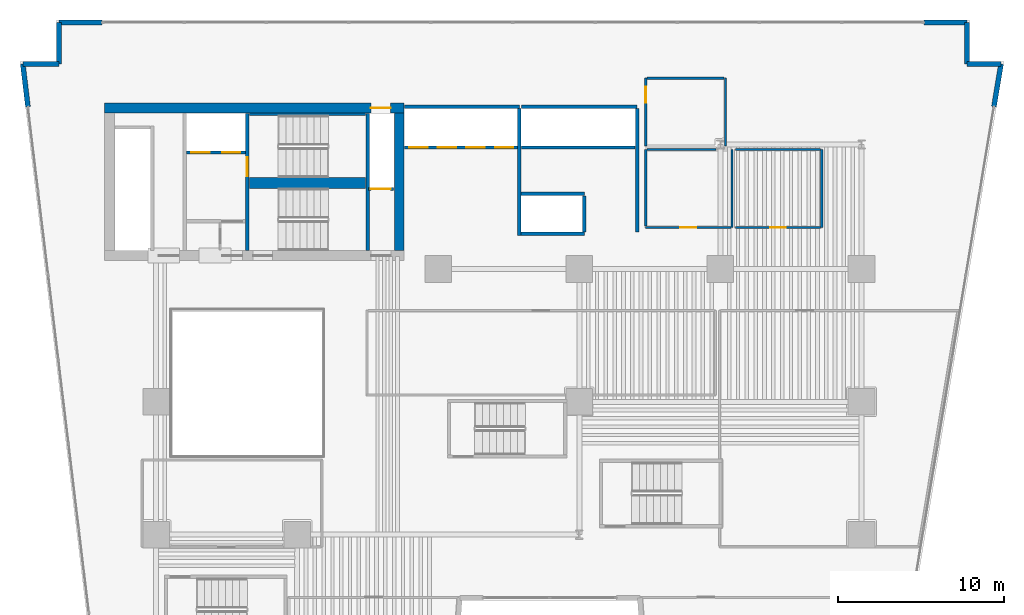
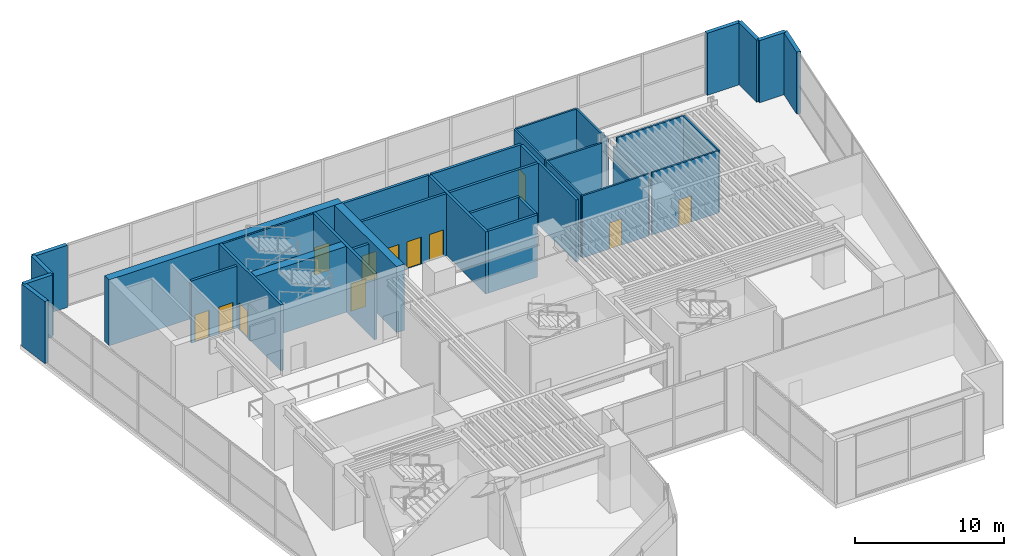
# One storey, part 10 of 16: 35 walls, 12 doors, 12 openings.
"""IFC4 building model written with IfcOpenShell, lengths in metres."""

from ifc_helpers import new_model, si_unit, direction, frame, frame_2d, origin, place, context, subcontext, project, spatial, rectangle, extrude, material, layer, layer_set, type_object, element, fill, save


model = new_model("IFC4")

# Units and contexts
model_context = context("Model", 3, precision=1e-05, world=origin(), true_north=direction((0.0, 1.0)))
body_context = subcontext(model_context, "Body", "Model", "MODEL_VIEW")
ifc_project = project(units=[si_unit("LENGTHUNIT", "METRE"), si_unit("AREAUNIT", "SQUARE_METRE"), si_unit("VOLUMEUNIT", "CUBIC_METRE"), si_unit("PLANEANGLEUNIT", "RADIAN"), si_unit("MASSUNIT", "GRAM", prefix="KILO")], contexts=[model_context])

# Site, building, storey
site_placement = place(None, origin())
site = spatial("IfcSite", under=ifc_project, at=site_placement, CompositionType="ELEMENT")
building_placement = place(site_placement, origin())
building = spatial("IfcBuilding", under=site, at=building_placement, Name="Caeloran Harvest Quay", CompositionType="ELEMENT")
storey_placement = place(building_placement, frame((0.0, 0.0, 10.800048828125)))
storey = spatial("IfcBuildingStorey", under=building, at=storey_placement, Name="L03", CompositionType="ELEMENT", Elevation=10.800048828125)

# Walls
ifc_material_1 = material(Name="Precast concrete C50/60", Category="concrete")
ifc_layer_1 = layer(ifc_material_1, 0.300048828125, Name="Precast concrete C50/60")
ifc_layer_set_1 = layer_set([ifc_layer_1], Name="Precast concrete C50/60")
wall_type_1 = type_object("IfcWallType", Name="ENV-WALL-EW-300", PredefinedType="STANDARD", material=ifc_layer_set_1)
wall_1_placement = place(storey_placement, frame((0.781494140625, 40.768798828125, 0.0), z_axis=(0.0, 0.0, 1.0), x_axis=(-0.119630264411, 0.992818513041, 0.0)))
element("IfcWall", 1, at=wall_1_placement, inside=storey, type_object=wall_type_1, Name="L03 Exterior Facade Corner Pier Wall 3B", PredefinedType="STANDARD", context=body_context, shape_type="SweptSolid", body=[
    extrude(rectangle(XDim=2.599853515625, YDim=0.300048828125, at=frame_2d((1.2998046875, 0.0))), origin(), (0.0, 0.0, 1.0), 5.079833984375),
])
wall_2_placement = place(storey_placement, frame((0.470458984375, 43.35009765625, 0.0), z_axis=(0.0, 0.0, 1.0), x_axis=(1.0, 0.0, 0.0)))
element("IfcWall", 2, at=wall_2_placement, inside=storey, type_object=wall_type_1, Name="L03 Exterior Precast Concrete Facade Wall 4", PredefinedType="STANDARD", context=body_context, shape_type="SweptSolid", body=[
    extrude(rectangle(XDim=2.179443359375, YDim=0.300048828125, at=frame_2d((1.08984375, 0.0))), origin(), (0.0, 0.0, 1.0), 5.079833984375),
])
wall_3_placement = place(storey_placement, frame((2.64990234375, 43.35009765625, 0.0), z_axis=(0.0, 0.0, 1.0), x_axis=(0.0, 1.0, 0.0)))
element("IfcWall", 3, at=wall_3_placement, inside=storey, type_object=wall_type_1, Name="L03 Exterior Precast Concrete Facade Wall 5", PredefinedType="STANDARD", context=body_context, shape_type="SweptSolid", body=[
    extrude(rectangle(XDim=2.5, YDim=0.300048828125, at=frame_2d((1.25, 0.0))), origin(), (0.0, 0.0, 1.0), 5.079833984375),
])
for number, where, z_axis, x_axis, name in (
    (4, (2.64990234375, 45.85009765625, 0.0), (0.0, 0.0, 1.0), (1.0, 0.0, 0.0), "L03 Exterior Facade Corner Pier Wall 6A"),
    (5, (54.75, 45.85009765625, 0.0), (0.0, 0.0, 1.0), (1.0, 0.0, 0.0), "L03 Exterior Facade Corner Pier Wall 6B"),
):
    element("IfcWall", number, at=place(storey_placement, frame(where, z_axis=z_axis, x_axis=x_axis)), inside=storey, type_object=wall_type_1, Name=name, PredefinedType="STANDARD", context=body_context, shape_type="SweptSolid", body=[
        extrude(rectangle(XDim=2.60009765625, YDim=0.300048828125, at=frame_2d((1.300048828125, 0.0))), origin(), (0.0, 0.0, 1.0), 5.079833984375),
    ])
wall_4_placement = place(storey_placement, frame((57.35009765625, 45.85009765625, 0.0), z_axis=(0.0, 0.0, 1.0), x_axis=(0.0, -1.0, 0.0)))
element("IfcWall", 6, at=wall_4_placement, inside=storey, type_object=wall_type_1, Name="L03 Exterior Precast Concrete Facade Wall 7", PredefinedType="STANDARD", context=body_context, shape_type="SweptSolid", body=[
    extrude(rectangle(XDim=2.5, YDim=0.300048828125, at=frame_2d((1.25, 0.0))), origin(), (0.0, 0.0, 1.0), 5.079833984375),
])
wall_5_placement = place(storey_placement, frame((57.35009765625, 43.35009765625, 0.0), z_axis=(0.0, 0.0, 1.0), x_axis=(1.0, 0.0, 0.0)))
element("IfcWall", 7, at=wall_5_placement, inside=storey, type_object=wall_type_1, Name="L03 Exterior Precast Concrete Facade Wall 8", PredefinedType="STANDARD", context=body_context, shape_type="SweptSolid", body=[
    extrude(rectangle(XDim=2.056884765625, YDim=0.300048828125, at=frame_2d((1.0283203125, 0.0))), origin(), (0.0, 0.0, 1.0), 5.079833984375),
])
wall_6_placement = place(storey_placement, frame((59.406982421875, 43.35009765625, 0.0), z_axis=(0.0, 0.0, 1.0), x_axis=(-0.164231487243, -0.986421825893, 0.0)))
element("IfcWall", 8, at=wall_6_placement, inside=storey, type_object=wall_type_1, Name="L03 Exterior Facade Corner Pier Wall 9A", PredefinedType="STANDARD", context=body_context, shape_type="SweptSolid", body=[
    extrude(rectangle(XDim=2.60009765625, YDim=0.300048828125, at=frame_2d((1.300048828125, 0.0))), origin(), (0.0, 0.0, 1.0), 5.079833984375),
])
ifc_material_2 = material(Name="Moisture-Resistant Cement-Board Sanitary Partition", Category="gypsum")
ifc_layer_2 = layer(ifc_material_2, 0.139892578125, Name="Moisture-Resistant Cement-Board Sanitary Partition")
ifc_layer_set_2 = layer_set([ifc_layer_2], Name="Moisture-Resistant Cement-Board Sanitary Partition")
wall_type_2 = type_object("IfcWallType", Name="INT-WALL-PW-140", PredefinedType="PARTITIONING", material=ifc_layer_set_2)
wall_7_placement = place(storey_placement, frame((43.199951171875, 38.199951171875, 0.0), z_axis=(0.0, 0.0, 1.0), x_axis=(0.0, -1.0, 0.0)))
element("IfcWall", 9, at=wall_7_placement, inside=storey, type_object=wall_type_2, Name="L03 Public Male Washroom WC Partition Wall", PredefinedType="PARTITIONING", context=body_context, shape_type="SweptSolid", body=[
    extrude(rectangle(XDim=4.699951171875, YDim=0.139892578125, at=frame_2d((2.35009765625, 0.0))), origin(), (0.0, 0.0, 1.0), 4.46484375),
])

# Wall, opening, door
wall_8_placement = place(storey_placement, frame((43.125, 33.5, 0.0), z_axis=(0.0, 0.0, 1.0), x_axis=(-1.0, 0.0, 0.0)))
wall_8 = element("IfcWall", 10, at=wall_8_placement, inside=storey, type_object=wall_type_2, Name="L03 Public Male Washroom WC Partition Wall", PredefinedType="PARTITIONING", context=body_context, shape_type="SweptSolid", body=[
    extrude(rectangle(XDim=5.125, YDim=0.139892578125, at=frame_2d((2.5625, 0.0))), origin(), (0.0, 0.0, 1.0), 5.079833984375),
])
opening_1_placement = place(wall_8_placement, frame((2.08740234375, 0.0, 0.0)))
opening_1 = element("IfcOpeningElement", 11, at=opening_1_placement, cuts=wall_8, Name="Opening WC-01", PredefinedType="OPENING", context=body_context, shape_type="SweptSolid", body=[
    extrude(rectangle(XDim=0.949951171875, YDim=2.14990234375, at=frame_2d((0.47509765625, 1.074951171875))), frame((0.0, 0.080078125, 0.0), z_axis=(0.0, -1.0, 0.0), x_axis=(1.0, 0.0, 0.0)), (0.0, 0.0, 1.0), 0.159912109375),
])
ifc_material_3 = material(Name="High-Pressure Laminate Moisture-Resistant Timber", Category="wood")
door_type_1 = type_object("IfcDoorType", Name="INTDOOR-WC-01", OperationType="NOTDEFINED", PredefinedType="DOOR", material=ifc_material_3)
door_1_placement = place(opening_1_placement, origin())
door_1 = element("IfcDoor", 12, at=door_1_placement, inside=storey, type_object=door_type_1, Name="L03 Public Male Washroom WC Access Door", OperationType="SINGLE_SWING_LEFT", OverallHeight=2.14990234375, OverallWidth=0.949951171875, PredefinedType="DOOR", context=body_context, shape_type="SweptSolid", body=[
    extrude(rectangle(XDim=0.949951171875, YDim=2.14990234375, at=frame_2d((0.47509765625, 1.074951171875))), frame((0.0, 0.02490234375, 0.0), z_axis=(0.0, -1.0, 0.0), x_axis=(1.0, 0.0, 0.0)), (0.0, 0.0, 1.0), 0.050048828125),
])
fill(opening_1, door_1)

# Walls
wall_9_placement = place(storey_placement, frame((38.0, 33.574951171875, 0.0), z_axis=(0.0, 0.0, 1.0), x_axis=(0.0, 1.0, 0.0)))
element("IfcWall", 13, at=wall_9_placement, inside=storey, type_object=wall_type_2, Name="L03 Public Male Washroom WC Partition Wall", PredefinedType="PARTITIONING", context=body_context, shape_type="SweptSolid", body=[
    extrude(rectangle(XDim=4.625, YDim=0.139892578125, at=frame_2d((2.3125, 0.0))), origin(), (0.0, 0.0, 1.0), 5.079833984375),
])
wall_10_placement = place(storey_placement, frame((38.074951171875, 38.199951171875, 0.0), z_axis=(0.0, 0.0, 1.0), x_axis=(1.0, 0.0, 0.0)))
element("IfcWall", 14, at=wall_10_placement, inside=storey, type_object=wall_type_2, Name="L03 Public Male Washroom WC Partition Wall", PredefinedType="PARTITIONING", context=body_context, shape_type="SweptSolid", body=[
    extrude(rectangle(XDim=4.173095703125, YDim=0.139892578125, at=frame_2d((2.08642578125, 0.0))), origin(), (0.0, 0.0, 1.0), 5.079833984375),
])
wall_11_placement = place(storey_placement, frame((48.60009765625, 38.199951171875, 0.0), z_axis=(0.0, 0.0, 1.0), x_axis=(0.0, -1.0, 0.0)))
element("IfcWall", 15, at=wall_11_placement, inside=storey, type_object=wall_type_2, Name="L03 Public Female Washroom WC Partition Wall", PredefinedType="PARTITIONING", context=body_context, shape_type="SweptSolid", body=[
    extrude(rectangle(XDim=4.699951171875, YDim=0.139892578125, at=frame_2d((2.35009765625, 0.0))), origin(), (0.0, 0.0, 1.0), 5.079833984375),
])

# Wall, opening, door
wall_12_placement = place(storey_placement, frame((48.52490234375, 33.5, 0.0), z_axis=(0.0, 0.0, 1.0), x_axis=(-1.0, 0.0, 0.0)))
wall_12 = element("IfcWall", 16, at=wall_12_placement, inside=storey, type_object=wall_type_2, Name="L03 Public Female Washroom WC Partition Wall", PredefinedType="PARTITIONING", context=body_context, shape_type="SweptSolid", body=[
    extrude(rectangle(XDim=5.125, YDim=0.139892578125, at=frame_2d((2.5625, 0.0))), origin(), (0.0, 0.0, 1.0), 5.079833984375),
])
opening_2_placement = place(wall_12_placement, frame((2.08740234375, 0.0, 0.0)))
opening_2 = element("IfcOpeningElement", 17, at=opening_2_placement, cuts=wall_12, Name="Opening WC-01", PredefinedType="OPENING", context=body_context, shape_type="SweptSolid", body=[
    extrude(rectangle(XDim=0.949951171875, YDim=2.14990234375, at=frame_2d((0.47509765625, 1.074951171875))), frame((0.0, 0.080078125, 0.0), z_axis=(0.0, -1.0, 0.0), x_axis=(1.0, 0.0, 0.0)), (0.0, 0.0, 1.0), 0.159912109375),
])
door_2_placement = place(opening_2_placement, origin())
door_2 = element("IfcDoor", 18, at=door_2_placement, inside=storey, type_object=door_type_1, Name="L03 Public Female Washroom WC Access Door", OperationType="SINGLE_SWING_RIGHT", OverallHeight=2.14990234375, OverallWidth=0.949951171875, PredefinedType="DOOR", context=body_context, shape_type="SweptSolid", body=[
    extrude(rectangle(XDim=0.949951171875, YDim=2.14990234375, at=frame_2d((0.47509765625, 1.074951171875))), frame((0.0, 0.02490234375, 0.0), z_axis=(0.0, -1.0, 0.0), x_axis=(1.0, 0.0, 0.0)), (0.0, 0.0, 1.0), 0.050048828125),
])
fill(opening_2, door_2)

# Walls
wall_13_placement = place(storey_placement, frame((43.39990234375, 38.199951171875, 0.0), z_axis=(0.0, 0.0, 1.0), x_axis=(1.0, 0.0, 0.0)))
element("IfcWall", 19, at=wall_13_placement, inside=storey, type_object=wall_type_2, Name="L03 Public Female Washroom WC Partition Wall", PredefinedType="PARTITIONING", context=body_context, shape_type="SweptSolid", body=[
    extrude(rectangle(XDim=5.125, YDim=0.139892578125, at=frame_2d((2.5625, 0.0))), origin(), (0.0, 0.0, 1.0), 5.079833984375),
])
wall_14_placement = place(storey_placement, frame((42.800048828125, 42.5, 0.0), z_axis=(0.0, 0.0, 1.0), x_axis=(0.0, -1.0, 0.0)))
element("IfcWall", 20, at=wall_14_placement, inside=storey, type_object=wall_type_2, Name="L03 Accessible Unisex Washroom WC Partition Wall", PredefinedType="PARTITIONING", context=body_context, shape_type="SweptSolid", body=[
    extrude(rectangle(XDim=4.10009765625, YDim=0.139892578125, at=frame_2d((2.050048828125, 0.0))), origin(), (0.0, 0.0, 1.0), 5.079833984375),
])

# Wall, opening, door
wall_15_placement = place(storey_placement, frame((38.0, 38.39990234375, 0.0), z_axis=(0.0, 0.0, 1.0), x_axis=(0.0, 1.0, 0.0)))
wall_15 = element("IfcWall", 21, at=wall_15_placement, inside=storey, type_object=wall_type_2, Name="L03 Accessible Unisex Washroom WC Partition Wall", PredefinedType="PARTITIONING", context=body_context, shape_type="SweptSolid", body=[
    extrude(rectangle(XDim=4.10009765625, YDim=0.139892578125, at=frame_2d((2.050048828125, 0.0))), origin(), (0.0, 0.0, 1.0), 5.079833984375),
])
opening_3_placement = place(wall_15_placement, frame((2.62255859375, 0.0, 0.0)))
opening_3 = element("IfcOpeningElement", 22, at=opening_3_placement, cuts=wall_15, Name="Opening WC-01", PredefinedType="OPENING", context=body_context, shape_type="SweptSolid", body=[
    extrude(rectangle(XDim=0.949951171875, YDim=2.14990234375, at=frame_2d((0.47509765625, 1.074951171875))), frame((0.0, 0.080078125, 0.0), z_axis=(0.0, -1.0, 0.0), x_axis=(1.0, 0.0, 0.0)), (0.0, 0.0, 1.0), 0.159912109375),
])
door_3_placement = place(opening_3_placement, origin())
door_3 = element("IfcDoor", 23, at=door_3_placement, inside=storey, type_object=door_type_1, Name="L03 Accessible Unisex Washroom WC Access Door", OperationType="SINGLE_SWING_RIGHT", OverallHeight=2.14990234375, OverallWidth=0.949951171875, PredefinedType="DOOR", context=body_context, shape_type="SweptSolid", body=[
    extrude(rectangle(XDim=0.949951171875, YDim=2.14990234375, at=frame_2d((0.47509765625, 1.074951171875))), frame((0.0, 0.02490234375, 0.0), z_axis=(0.0, -1.0, 0.0), x_axis=(1.0, 0.0, 0.0)), (0.0, 0.0, 1.0), 0.050048828125),
])
fill(opening_3, door_3)

# Wall
wall_16_placement = place(storey_placement, frame((38.074951171875, 42.5, 0.0), z_axis=(0.0, 0.0, 1.0), x_axis=(1.0, 0.0, 0.0)))
element("IfcWall", 24, at=wall_16_placement, inside=storey, type_object=wall_type_2, Name="L03 Accessible Unisex Washroom WC Partition Wall", PredefinedType="PARTITIONING", context=body_context, shape_type="SweptSolid", body=[
    extrude(rectangle(XDim=4.650146484375, YDim=0.139892578125, at=frame_2d((2.3251953125, 0.0))), origin(), (0.0, 0.0, 1.0), 5.079833984375),
])

# Wall, openings, doors
ifc_material_4 = material(Name="Concrete C50/60", Category="concrete")
ifc_layer_3 = layer(ifc_material_4, 0.199951171875, Name="Concrete C50/60")
ifc_layer_set_3 = layer_set([ifc_layer_3], Name="Concrete C50/60")
wall_type_3 = type_object("IfcWallType", Name="INT-WALL-SW-200", PredefinedType="PARTITIONING", material=ifc_layer_set_3)
wall_17_placement = place(storey_placement, frame((10.340087890625, 38.02001953125, 0.0), z_axis=(0.0, 0.0, 1.0), x_axis=(1.0, 0.0, 0.0)))
wall_17 = element("IfcWall", 25, at=wall_17_placement, inside=storey, type_object=wall_type_3, Name="L03 Firefighting Lift Shaft Wall", PredefinedType="PARTITIONING", context=body_context, shape_type="SweptSolid", body=[
    extrude(rectangle(XDim=3.539794921875, YDim=0.199951171875, at=frame_2d((1.77001953125, 0.0))), origin(), (0.0, 0.0, 1.0), 5.079833984375),
])
opening_4_placement = place(wall_17_placement, frame((0.284912109375, 0.0, 0.0)))
opening_4 = element("IfcOpeningElement", 26, at=opening_4_placement, cuts=wall_17, Name="Opening LD-01", PredefinedType="OPENING", context=body_context, shape_type="SweptSolid", body=[
    extrude(rectangle(XDim=1.10009765625, YDim=2.199951171875, at=frame_2d((0.550048828125, 1.10009765625))), frame((0.0, 0.10986328125, 0.0), z_axis=(0.0, -1.0, 0.0), x_axis=(1.0, 0.0, 0.0)), (0.0, 0.0, 1.0), 0.219970703125),
])
opening_5_placement = place(wall_17_placement, frame((2.135009765625, 0.0, 0.0)))
opening_5 = element("IfcOpeningElement", 27, at=opening_5_placement, cuts=wall_17, Name="Opening LD-01", PredefinedType="OPENING", context=body_context, shape_type="SweptSolid", body=[
    extrude(rectangle(XDim=1.10009765625, YDim=2.199951171875, at=frame_2d((0.550048828125, 1.10009765625))), frame((0.0, 0.10986328125, 0.0), z_axis=(0.0, -1.0, 0.0), x_axis=(1.0, 0.0, 0.0)), (0.0, 0.0, 1.0), 0.219970703125),
])
ifc_material_5 = material(Name="Stainless Steel Grade 316", Category="steel")
door_type_2 = type_object("IfcDoorType", Name="INTDOOR-LD-01", OperationType="NOTDEFINED", PredefinedType="DOOR", material=ifc_material_5)
door_4_placement = place(opening_4_placement, origin())
door_4 = element("IfcDoor", 28, at=door_4_placement, inside=storey, type_object=door_type_2, Name="Lift FF-1 Sliding Landing Door (L03)", OperationType="DOUBLE_DOOR_SLIDING", OverallHeight=2.199951171875, OverallWidth=1.10009765625, PredefinedType="DOOR", context=body_context, shape_type="SweptSolid", body=[
    extrude(rectangle(XDim=1.10009765625, YDim=2.199951171875, at=frame_2d((0.550048828125, 1.10009765625))), frame((0.0, 0.02490234375, 0.0), z_axis=(0.0, -1.0, 0.0), x_axis=(1.0, 0.0, 0.0)), (0.0, 0.0, 1.0), 0.050048828125),
])
fill(opening_4, door_4)
door_5_placement = place(opening_5_placement, origin())
door_5 = element("IfcDoor", 29, at=door_5_placement, inside=storey, type_object=door_type_2, Name="Lift FF-2 Sliding Landing Door (L03)", OperationType="DOUBLE_DOOR_SLIDING", OverallHeight=2.199951171875, OverallWidth=1.10009765625, PredefinedType="DOOR", context=body_context, shape_type="SweptSolid", body=[
    extrude(rectangle(XDim=1.10009765625, YDim=2.199951171875, at=frame_2d((0.550048828125, 1.10009765625))), frame((0.0, 0.02490234375, 0.0), z_axis=(0.0, -1.0, 0.0), x_axis=(1.0, 0.0, 0.0)), (0.0, 0.0, 1.0), 0.050048828125),
])
fill(opening_5, door_5)

# Wall, opening, door
wall_18_placement = place(storey_placement, frame((21.300048828125, 35.820068359375, 0.0), z_axis=(0.0, 0.0, 1.0), x_axis=(1.0, 0.0, 0.0)))
wall_18 = element("IfcWall", 30, at=wall_18_placement, inside=storey, type_object=wall_type_3, Name="L03 Service Lift SV-2 Shaft Wall", PredefinedType="PARTITIONING", context=body_context, shape_type="SweptSolid", body=[
    extrude(rectangle(XDim=1.5, YDim=0.199951171875, at=frame_2d((0.75, 0.0))), origin(), (0.0, 0.0, 1.0), 5.079833984375),
])
opening_6_placement = place(wall_18_placement, frame((0.14501953125, 0.0, 0.0)))
opening_6 = element("IfcOpeningElement", 31, at=opening_6_placement, cuts=wall_18, Name="Opening LD-02", PredefinedType="OPENING", context=body_context, shape_type="SweptSolid", body=[
    extrude(rectangle(XDim=1.179931640625, YDim=2.25, at=frame_2d((0.58984375, 1.125))), frame((0.0, 0.10986328125, 0.0), z_axis=(0.0, -1.0, 0.0), x_axis=(1.0, 0.0, 0.0)), (0.0, 0.0, 1.0), 0.219970703125),
])
door_type_3 = type_object("IfcDoorType", Name="INTDOOR-LD-02", OperationType="NOTDEFINED", PredefinedType="DOOR", material=ifc_material_5)
door_6_placement = place(opening_6_placement, origin())
door_6 = element("IfcDoor", 32, at=door_6_placement, inside=storey, type_object=door_type_3, Name="Lift SV-2 Sliding Landing Door (L03)", OperationType="DOUBLE_DOOR_SLIDING", OverallHeight=2.25, OverallWidth=1.179931640625, PredefinedType="DOOR", context=body_context, shape_type="SweptSolid", body=[
    extrude(rectangle(XDim=1.179931640625, YDim=2.25, at=frame_2d((0.58984375, 1.125))), frame((0.0, 0.02490234375, 0.0), z_axis=(0.0, -1.0, 0.0), x_axis=(1.0, 0.0, 0.0)), (0.0, 0.0, 1.0), 0.050048828125),
])
fill(opening_6, door_6)

# Walls
wall_19_placement = place(storey_placement, frame((23.469970703125, 40.780029296875, 0.0), z_axis=(0.0, 0.0, 1.0), x_axis=(1.0, 0.0, 0.0)))
element("IfcWall", 33, at=wall_19_placement, inside=storey, type_object=wall_type_3, Name="L03 Bank 1 Lift Shaft North Wall", PredefinedType="PARTITIONING", context=body_context, shape_type="SweptSolid", body=[
    extrude(rectangle(XDim=6.909912109375, YDim=0.199951171875, at=frame_2d((3.455078125, 0.0))), origin(), (0.0, 0.0, 1.0), 5.079833984375),
])
wall_20_placement = place(storey_placement, frame((30.3798828125, 33.02001953125, 0.0), z_axis=(0.0, 0.0, 1.0), x_axis=(0.0, 1.0, 0.0)))
element("IfcWall", 34, at=wall_20_placement, inside=storey, type_object=wall_type_3, Name="L03 Bank 1 Lift Shaft East Wall", PredefinedType="PARTITIONING", context=body_context, shape_type="SweptSolid", body=[
    extrude(rectangle(XDim=7.639892578125, YDim=0.199951171875, at=frame_2d((3.81982421875, 0.0))), origin(), (0.0, 0.0, 1.0), 5.079833984375),
])

# Wall, openings, doors
wall_21_placement = place(storey_placement, frame((23.469970703125, 38.320068359375, 0.0), z_axis=(0.0, 0.0, 1.0), x_axis=(1.0, 0.0, 0.0)))
wall_21 = element("IfcWall", 35, at=wall_21_placement, inside=storey, type_object=wall_type_3, Name="L03 Bank 1 Lift Landing Front Wall", PredefinedType="PARTITIONING", context=body_context, shape_type="SweptSolid", body=[
    extrude(rectangle(XDim=6.7900390625, YDim=0.199951171875, at=frame_2d((3.39501953125, 0.0))), origin(), (0.0, 0.0, 1.0), 5.079833984375),
])
opening_7_placement = place(wall_21_placement, frame((0.2900390625, 0.0, 0.0)))
opening_7 = element("IfcOpeningElement", 36, at=opening_7_placement, cuts=wall_21, Name="Opening LD-01", PredefinedType="OPENING", context=body_context, shape_type="SweptSolid", body=[
    extrude(rectangle(XDim=1.10009765625, YDim=2.199951171875, at=frame_2d((0.550048828125, 1.10009765625))), frame((0.0, 0.10986328125, 0.0), z_axis=(0.0, -1.0, 0.0), x_axis=(1.0, 0.0, 0.0)), (0.0, 0.0, 1.0), 0.219970703125),
])
opening_8_placement = place(wall_21_placement, frame((2.010009765625, 0.0, 0.0)))
opening_8 = element("IfcOpeningElement", 37, at=opening_8_placement, cuts=wall_21, Name="Opening LD-01", PredefinedType="OPENING", context=body_context, shape_type="SweptSolid", body=[
    extrude(rectangle(XDim=1.10009765625, YDim=2.199951171875, at=frame_2d((0.550048828125, 1.10009765625))), frame((0.0, 0.10986328125, 0.0), z_axis=(0.0, -1.0, 0.0), x_axis=(1.0, 0.0, 0.0)), (0.0, 0.0, 1.0), 0.219970703125),
])
opening_9_placement = place(wall_21_placement, frame((3.72998046875, 0.0, 0.0)))
opening_9 = element("IfcOpeningElement", 38, at=opening_9_placement, cuts=wall_21, Name="Opening LD-01", PredefinedType="OPENING", context=body_context, shape_type="SweptSolid", body=[
    extrude(rectangle(XDim=1.10009765625, YDim=2.199951171875, at=frame_2d((0.550048828125, 1.10009765625))), frame((0.0, 0.10986328125, 0.0), z_axis=(0.0, -1.0, 0.0), x_axis=(1.0, 0.0, 0.0)), (0.0, 0.0, 1.0), 0.219970703125),
])
opening_10_placement = place(wall_21_placement, frame((5.449951171875, 0.0, 0.0)))
opening_10 = element("IfcOpeningElement", 39, at=opening_10_placement, cuts=wall_21, Name="Opening LD-01", PredefinedType="OPENING", context=body_context, shape_type="SweptSolid", body=[
    extrude(rectangle(XDim=1.10009765625, YDim=2.199951171875, at=frame_2d((0.550048828125, 1.10009765625))), frame((0.0, 0.10986328125, 0.0), z_axis=(0.0, -1.0, 0.0), x_axis=(1.0, 0.0, 0.0)), (0.0, 0.0, 1.0), 0.219970703125),
])
door_7_placement = place(opening_7_placement, origin())
door_7 = element("IfcDoor", 40, at=door_7_placement, inside=storey, type_object=door_type_2, Name="Lift P1-1 Sliding Landing Door (L03)", OperationType="DOUBLE_DOOR_SLIDING", OverallHeight=2.199951171875, OverallWidth=1.10009765625, PredefinedType="DOOR", context=body_context, shape_type="SweptSolid", body=[
    extrude(rectangle(XDim=1.10009765625, YDim=2.199951171875, at=frame_2d((0.550048828125, 1.10009765625))), frame((0.0, 0.02490234375, 0.0), z_axis=(0.0, -1.0, 0.0), x_axis=(1.0, 0.0, 0.0)), (0.0, 0.0, 1.0), 0.050048828125),
])
fill(opening_7, door_7)
door_8_placement = place(opening_8_placement, origin())
door_8 = element("IfcDoor", 41, at=door_8_placement, inside=storey, type_object=door_type_2, Name="Lift P1-2 Sliding Landing Door (L03)", OperationType="DOUBLE_DOOR_SLIDING", OverallHeight=2.199951171875, OverallWidth=1.10009765625, PredefinedType="DOOR", context=body_context, shape_type="SweptSolid", body=[
    extrude(rectangle(XDim=1.10009765625, YDim=2.199951171875, at=frame_2d((0.550048828125, 1.10009765625))), frame((0.0, 0.02490234375, 0.0), z_axis=(0.0, -1.0, 0.0), x_axis=(1.0, 0.0, 0.0)), (0.0, 0.0, 1.0), 0.050048828125),
])
fill(opening_8, door_8)
door_9_placement = place(opening_9_placement, origin())
door_9 = element("IfcDoor", 42, at=door_9_placement, inside=storey, type_object=door_type_2, Name="Lift P1-3 Sliding Landing Door (L03)", OperationType="DOUBLE_DOOR_SLIDING", OverallHeight=2.199951171875, OverallWidth=1.10009765625, PredefinedType="DOOR", context=body_context, shape_type="SweptSolid", body=[
    extrude(rectangle(XDim=1.10009765625, YDim=2.199951171875, at=frame_2d((0.550048828125, 1.10009765625))), frame((0.0, 0.02490234375, 0.0), z_axis=(0.0, -1.0, 0.0), x_axis=(1.0, 0.0, 0.0)), (0.0, 0.0, 1.0), 0.050048828125),
])
fill(opening_9, door_9)
door_10_placement = place(opening_10_placement, origin())
door_10 = element("IfcDoor", 43, at=door_10_placement, inside=storey, type_object=door_type_2, Name="Lift P1-4 Sliding Landing Door (L03)", OperationType="DOUBLE_DOOR_SLIDING", OverallHeight=2.199951171875, OverallWidth=1.10009765625, PredefinedType="DOOR", context=body_context, shape_type="SweptSolid", body=[
    extrude(rectangle(XDim=1.10009765625, YDim=2.199951171875, at=frame_2d((0.550048828125, 1.10009765625))), frame((0.0, 0.02490234375, 0.0), z_axis=(0.0, -1.0, 0.0), x_axis=(1.0, 0.0, 0.0)), (0.0, 0.0, 1.0), 0.050048828125),
])
fill(opening_10, door_10)

# Walls
wall_22_placement = place(storey_placement, frame((30.5, 40.780029296875, 0.0), z_axis=(0.0, 0.0, 1.0), x_axis=(1.0, 0.0, 0.0)))
element("IfcWall", 44, at=wall_22_placement, inside=storey, type_object=wall_type_3, Name="L03 Bank 2 Lift Shaft North Wall", PredefinedType="PARTITIONING", context=body_context, shape_type="SweptSolid", body=[
    extrude(rectangle(XDim=6.97998046875, YDim=0.199951171875, at=frame_2d((3.489990234375, 0.0))), origin(), (0.0, 0.0, 1.0), 5.079833984375),
])
wall_23_placement = place(storey_placement, frame((37.47998046875, 33.239990234375, 0.0), z_axis=(0.0, 0.0, 1.0), x_axis=(0.0, 1.0, 0.0)))
element("IfcWall", 45, at=wall_23_placement, inside=storey, type_object=wall_type_3, Name="L03 Bank 2 Lift Shaft East Wall", PredefinedType="PARTITIONING", context=body_context, shape_type="SweptSolid", body=[
    extrude(rectangle(XDim=7.419921875, YDim=0.199951171875, at=frame_2d((3.7099609375, 0.0))), origin(), (0.0, 0.0, 1.0), 5.079833984375),
])
wall_24_placement = place(storey_placement, frame((30.5, 38.320068359375, 0.0), z_axis=(0.0, 0.0, 1.0), x_axis=(1.0, 0.0, 0.0)))
element("IfcWall", 46, at=wall_24_placement, inside=storey, type_object=wall_type_3, Name="L03 Bank 2 Lift Landing Front Wall", PredefinedType="PARTITIONING", context=body_context, shape_type="SweptSolid", body=[
    extrude(rectangle(XDim=6.860107421875, YDim=0.199951171875, at=frame_2d((3.43017578125, 0.0))), origin(), (0.0, 0.0, 1.0), 5.079833984375),
])
for number, where, z_axis, x_axis, name in (
    (47, (30.5, 35.530029296875, 0.0), (0.0, 0.0, 1.0), (1.0, 0.0, 0.0), "L03 Shuttle Lift Landing Front Wall"),
    (48, (30.5, 33.1201171875, 0.0), (0.0, 0.0, 1.0), (1.0, 0.0, 0.0), "L03 Shuttle Lift Shaft South Wall"),
):
    element("IfcWall", number, at=place(storey_placement, frame(where, z_axis=z_axis, x_axis=x_axis)), inside=storey, type_object=wall_type_3, Name=name, PredefinedType="PARTITIONING", context=body_context, shape_type="SweptSolid", body=[
        extrude(rectangle(XDim=3.800048828125, YDim=0.199951171875, at=frame_2d((1.89990234375, 0.0))), origin(), (0.0, 0.0, 1.0), 5.079833984375),
    ])
wall_25_placement = place(storey_placement, frame((34.300048828125, 33.239990234375, 0.0), z_axis=(0.0, 0.0, 1.0), x_axis=(0.0, 1.0, 0.0)))
element("IfcWall", 49, at=wall_25_placement, inside=storey, type_object=wall_type_3, Name="L03 Shuttle Lift Shaft East Wall", PredefinedType="PARTITIONING", context=body_context, shape_type="SweptSolid", body=[
    extrude(rectangle(XDim=2.169921875, YDim=0.199951171875, at=frame_2d((1.0849609375, 0.0))), origin(), (0.0, 0.0, 1.0), 5.079833984375),
])

# Wall, opening, door
ifc_material_6 = material(Name="Concrete C80/95", Category="concrete")
ifc_layer_4 = layer(ifc_material_6, 0.60009765625, Name="Concrete C80/95")
ifc_layer_set_4 = layer_set([ifc_layer_4], Name="Concrete C80/95")
wall_type_4 = type_object("IfcWallType", Name="STR-WALL-CW-600", PredefinedType="SHEAR", material=ifc_layer_set_4)
wall_26_placement = place(storey_placement, frame((5.39990234375, 40.699951171875, 0.0), z_axis=(0.0, 0.0, 1.0), x_axis=(1.0, 0.0, 0.0)))
wall_26 = element("IfcWall", 50, at=wall_26_placement, inside=storey, type_object=wall_type_4, Name="L03 Rear Core Shear Wall N", PredefinedType="SHEAR", context=body_context, shape_type="SweptSolid", body=[
    extrude(rectangle(XDim=18.050048828125, YDim=0.60009765625, at=frame_2d((9.02490234375, 0.0))), origin(), (0.0, 0.0, 1.0), 5.39990234375),
])
opening_11_placement = place(wall_26_placement, frame((16.044921875, 0.0, 0.0)))
opening_11 = element("IfcOpeningElement", 51, at=opening_11_placement, cuts=wall_26, Name="Opening LD-02", PredefinedType="OPENING", context=body_context, shape_type="SweptSolid", body=[
    extrude(rectangle(XDim=1.179931640625, YDim=2.25, at=frame_2d((0.58984375, 1.125))), frame((0.0, 0.31005859375, 0.0), z_axis=(0.0, -1.0, 0.0), x_axis=(1.0, 0.0, 0.0)), (0.0, 0.0, 1.0), 0.6201171875),
])
door_11_placement = place(opening_11_placement, origin())
door_11 = element("IfcDoor", 52, at=door_11_placement, inside=storey, type_object=door_type_3, Name="Lift SV-1 Sliding Landing Door (L03)", OperationType="DOUBLE_DOOR_SLIDING", OverallHeight=2.25, OverallWidth=1.179931640625, PredefinedType="DOOR", context=body_context, shape_type="SweptSolid", body=[
    extrude(rectangle(XDim=1.179931640625, YDim=2.25, at=frame_2d((0.58984375, 1.125))), frame((0.0, 0.02490234375, 0.0), z_axis=(0.0, -1.0, 0.0), x_axis=(1.0, 0.0, 0.0)), (0.0, 0.0, 1.0), 0.050048828125),
])
fill(opening_11, door_11)

# Walls
wall_27_placement = place(storey_placement, frame((23.14990234375, 32.10009765625, 0.0), z_axis=(0.0, 0.0, 1.0), x_axis=(0.0, 1.0, 0.0)))
element("IfcWall", 53, at=wall_27_placement, inside=storey, type_object=wall_type_4, Name="L03 Rear Core Shear Wall E", PredefinedType="SHEAR", context=body_context, shape_type="SweptSolid", body=[
    extrude(rectangle(XDim=8.2998046875, YDim=0.60009765625, at=frame_2d((4.14990234375, 0.0))), origin(), (0.0, 0.0, 1.0), 5.39990234375),
])
ifc_material_7 = material(Name="Concrete C60/75", Category="concrete")
ifc_layer_5 = layer(ifc_material_7, 0.64990234375, Name="Concrete C60/75")
ifc_layer_set_5 = layer_set([ifc_layer_5], Name="Concrete C60/75")
wall_type_5 = type_object("IfcWallType", Name="STR-WALL-CW-650", PredefinedType="SHEAR", material=ifc_layer_set_5)
wall_28_placement = place(storey_placement, frame((14.1201171875, 36.175048828125, 0.0), z_axis=(0.0, 0.0, 1.0), x_axis=(1.0, 0.0, 0.0)))
element("IfcWall", 54, at=wall_28_placement, inside=storey, type_object=wall_type_5, Name="L03 Core Stairs Dividing Shear Wall", PredefinedType="SHEAR", context=body_context, shape_type="SweptSolid", body=[
    extrude(rectangle(XDim=7.009765625, YDim=0.64990234375, at=frame_2d((3.5048828125, 0.0))), origin(), (0.0, 0.0, 1.0), 5.39990234375),
])
ifc_layer_6 = layer(ifc_material_7, 0.139892578125, Name="Concrete C60/75")
ifc_layer_set_6 = layer_set([ifc_layer_6], Name="Concrete C60/75")
wall_type_6 = type_object("IfcWallType", Name="STR-WALL-SW-140", PredefinedType="SHEAR", material=ifc_layer_set_6)
wall_29_placement = place(storey_placement, frame((14.1201171875, 40.320068359375, 0.0), z_axis=(0.0, 0.0, 1.0), x_axis=(1.0, 0.0, 0.0)))
element("IfcWall", 55, at=wall_29_placement, inside=storey, type_object=wall_type_6, Name="L03 Core Stair ST-C1 North Bearing Shear Wall", PredefinedType="SHEAR", context=body_context, shape_type="SweptSolid", body=[
    extrude(rectangle(XDim=7.009765625, YDim=0.139892578125, at=frame_2d((3.5048828125, 0.0))), origin(), (0.0, 0.0, 1.0), 5.39990234375),
])

# Wall, opening, door
ifc_layer_7 = layer(ifc_material_7, 0.199951171875, Name="Concrete C60/75")
ifc_layer_set_7 = layer_set([ifc_layer_7], Name="Concrete C60/75")
wall_type_7 = type_object("IfcWallType", Name="STR-WALL-SW-200", PredefinedType="SHEAR", material=ifc_layer_set_7)
wall_30_placement = place(storey_placement, frame((14.0, 32.1201171875, 0.0), z_axis=(0.0, 0.0, 1.0), x_axis=(0.0, 1.0, 0.0)))
wall_30 = element("IfcWall", 56, at=wall_30_placement, inside=storey, type_object=wall_type_7, Name="L03 Core Stair Shaft West Shear Wall", PredefinedType="SHEAR", context=body_context, shape_type="SweptSolid", body=[
    extrude(rectangle(XDim=8.259765625, YDim=0.199951171875, at=frame_2d((4.1298828125, 0.0))), origin(), (0.0, 0.0, 1.0), 5.39990234375),
])
opening_12_placement = place(wall_30_placement, frame((4.4599609375, 0.0, 0.0)))
opening_12 = element("IfcOpeningElement", 57, at=opening_12_placement, cuts=wall_30, Name="Opening SD-01", PredefinedType="OPENING", context=body_context, shape_type="SweptSolid", body=[
    extrude(rectangle(XDim=1.14990234375, YDim=2.199951171875, at=frame_2d((0.574951171875, 1.10009765625))), frame((0.0, 0.10986328125, 0.0), z_axis=(0.0, -1.0, 0.0), x_axis=(1.0, 0.0, 0.0)), (0.0, 0.0, 1.0), 0.219970703125),
])
ifc_material_8 = material(Name="Steel", Category="steel")
door_type_4 = type_object("IfcDoorType", Name="INTDOOR-SD-01", OperationType="NOTDEFINED", PredefinedType="DOOR", material=ifc_material_8)
door_12_placement = place(opening_12_placement, origin())
door_12 = element("IfcDoor", 58, at=door_12_placement, inside=storey, type_object=door_type_4, Name="L03 Protected Stair ST-C1 Exit Door", OperationType="SINGLE_SWING_LEFT", OverallHeight=2.199951171875, OverallWidth=1.14990234375, PredefinedType="DOOR", context=body_context, shape_type="SweptSolid", body=[
    extrude(rectangle(XDim=1.14990234375, YDim=2.199951171875, at=frame_2d((0.574951171875, 1.10009765625))), frame((0.0, 0.02490234375, 0.0), z_axis=(0.0, -1.0, 0.0), x_axis=(1.0, 0.0, 0.0)), (0.0, 0.0, 1.0), 0.050048828125),
])
fill(opening_12, door_12)

# Wall
wall_31_placement = place(storey_placement, frame((21.25, 32.1201171875, 0.0), z_axis=(0.0, 0.0, 1.0), x_axis=(0.0, 1.0, 0.0)))
element("IfcWall", 59, at=wall_31_placement, inside=storey, type_object=wall_type_7, Name="L03 Core Stair Shaft East Shear Wall", PredefinedType="SHEAR", context=body_context, shape_type="SweptSolid", body=[
    extrude(rectangle(XDim=8.259765625, YDim=0.199951171875, at=frame_2d((4.1298828125, 0.0))), origin(), (0.0, 0.0, 1.0), 5.39990234375),
])

save(model, "model.ifc")
